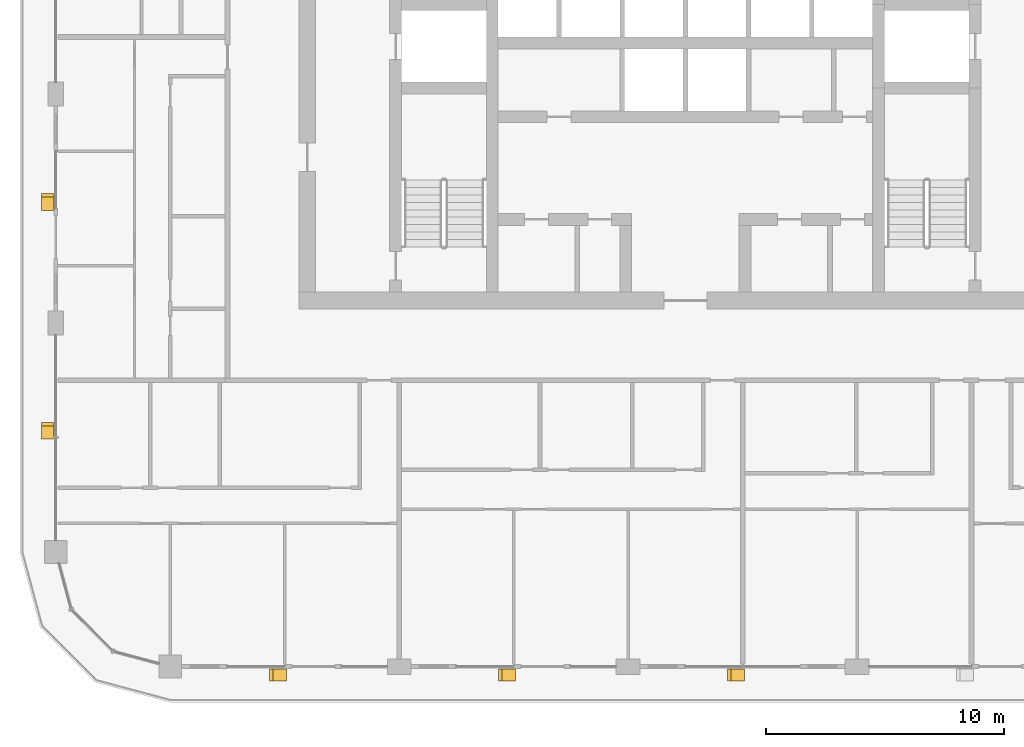
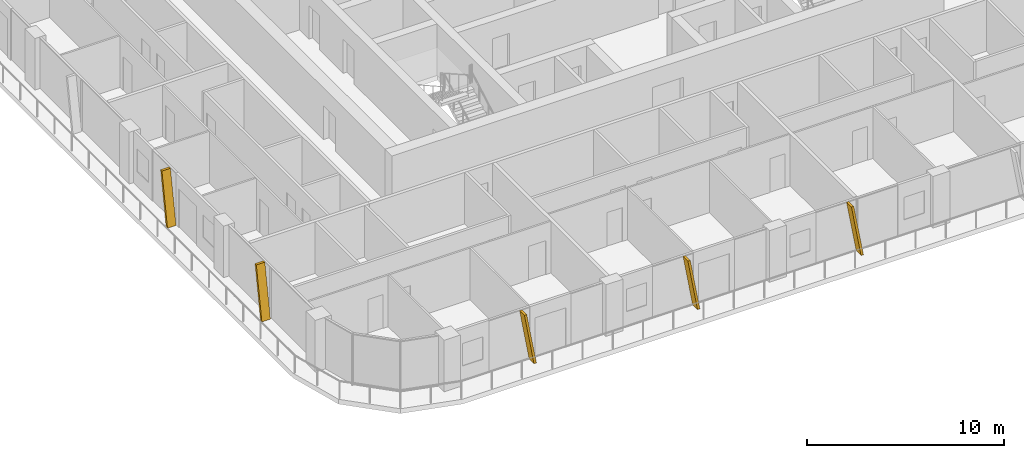
# One storey, part 17 of 22: 5 shading devices.
"""IFC4 building model written with IfcOpenShell, lengths in metres."""

from ifc_helpers import new_model, si_unit, direction, frame, origin, place, context, subcontext, project, spatial, polyline, outline, extrude, material, type_object, element, save


model = new_model("IFC4")

# Units and contexts
model_context = context("Model", 3, precision=1e-05, world=origin(), true_north=direction((0.0, 1.0)))
body_context = subcontext(model_context, "Body", "Model", "MODEL_VIEW")
ifc_project = project(units=[si_unit("LENGTHUNIT", "METRE"), si_unit("AREAUNIT", "SQUARE_METRE"), si_unit("VOLUMEUNIT", "CUBIC_METRE"), si_unit("PLANEANGLEUNIT", "RADIAN"), si_unit("MASSUNIT", "GRAM", prefix="KILO")], contexts=[model_context])

# Site, building, storey
site_placement = place(None, origin())
site = spatial("IfcSite", under=ifc_project, at=site_placement, CompositionType="ELEMENT")
building_placement = place(site_placement, origin())
building = spatial("IfcBuilding", under=site, at=building_placement, Name="Madar Terraces", CompositionType="ELEMENT")
storey_placement = place(building_placement, frame((0.0, 0.0, 182.39990234375)))
storey = spatial("IfcBuildingStorey", under=building, at=storey_placement, Name="L47", CompositionType="ELEMENT", Elevation=182.39990234375)

# Shading devices
ifc_material = material(Name="Aluminium, black anodised", Category="aluminium")
shading_device_type = type_object("IfcShadingDeviceType", Name="Facade fin blade 140 x 500", PredefinedType="USERDEFINED", material=ifc_material)
shading_device_1_placement = place(storey_placement, frame((14.330078125, -0.35009765625, 0.0), z_axis=(0.0, 0.0, 1.0), x_axis=(1.0, 0.0, 0.0)))
element("IfcShadingDevice", 1, at=shading_device_1_placement, inside=storey, type_object=shading_device_type, Name="FIN L47 S1", ObjectType="FIN", PredefinedType="USERDEFINED", context=body_context, shape_type="SweptSolid", body=[
    extrude(outline(polyline([(0.0, 0.0), (0.139892578125, 0.0), (-0.42431640625, 3.2001953125), (-0.564208984375, 3.2001953125), (0.0, 0.0)])), frame((0.0, 0.25, 0.0), z_axis=(0.0, -1.0, 0.0), x_axis=(1.0, 0.0, 0.0)), (0.0, 0.0, 1.0), 0.5),
])
shading_device_2_placement = place(storey_placement, frame((23.929931640625, -0.35009765625, 0.0), z_axis=(0.0, 0.0, 1.0), x_axis=(1.0, 0.0, 0.0)))
element("IfcShadingDevice", 2, at=shading_device_2_placement, inside=storey, type_object=shading_device_type, Name="FIN L47 S2", ObjectType="FIN", PredefinedType="USERDEFINED", context=body_context, shape_type="SweptSolid", body=[
    extrude(outline(polyline([(0.0, 0.0), (0.14013671875, 0.0), (-0.42431640625, 3.2001953125), (-0.564208984375, 3.2001953125), (0.0, 0.0)])), frame((0.0, 0.25, 0.0), z_axis=(0.0, -1.0, 0.0), x_axis=(1.0, 0.0, 0.0)), (0.0, 0.0, 1.0), 0.5),
])
shading_device_3_placement = place(storey_placement, frame((33.530029296875, -0.35009765625, 0.0), z_axis=(0.0, 0.0, 1.0), x_axis=(1.0, 0.0, 0.0)))
element("IfcShadingDevice", 3, at=shading_device_3_placement, inside=storey, type_object=shading_device_type, Name="FIN L47 S3", ObjectType="FIN", PredefinedType="USERDEFINED", context=body_context, shape_type="SweptSolid", body=[
    extrude(outline(polyline([(0.0, 0.0), (0.139892578125, 0.0), (-0.42431640625, 3.2001953125), (-0.564208984375, 3.2001953125), (0.0, 0.0)])), frame((0.0, 0.25, 0.0), z_axis=(0.0, -1.0, 0.0), x_axis=(1.0, 0.0, 0.0)), (0.0, 0.0, 1.0), 0.5),
])
shading_device_4_placement = place(storey_placement, frame((4.449951171875, 19.27001953125, 0.0), z_axis=(0.0, 0.0, 1.0), x_axis=(0.0, -1.0, 0.0)))
element("IfcShadingDevice", 4, at=shading_device_4_placement, inside=storey, type_object=shading_device_type, Name="FIN L47 W3", ObjectType="FIN", PredefinedType="USERDEFINED", context=body_context, shape_type="SweptSolid", body=[
    extrude(outline(polyline([(0.0, 0.0), (0.14013671875, 0.0), (-0.42431640625, 3.2001953125), (-0.564208984375, 3.2001953125), (0.0, 0.0)])), frame((0.0, 0.25, 0.0), z_axis=(0.0, -1.0, 0.0), x_axis=(1.0, 0.0, 0.0)), (0.0, 0.0, 1.0), 0.5),
])
shading_device_5_placement = place(storey_placement, frame((4.449951171875, 9.669921875, 0.0), z_axis=(0.0, 0.0, 1.0), x_axis=(0.0, -1.0, 0.0)))
element("IfcShadingDevice", 5, at=shading_device_5_placement, inside=storey, type_object=shading_device_type, Name="FIN L47 W4", ObjectType="FIN", PredefinedType="USERDEFINED", context=body_context, shape_type="SweptSolid", body=[
    extrude(outline(polyline([(0.0, 0.0), (0.139892578125, 0.0), (-0.42431640625, 3.2001953125), (-0.564208984375, 3.2001953125), (0.0, 0.0)])), frame((0.0, 0.25, 0.0), z_axis=(0.0, -1.0, 0.0), x_axis=(1.0, 0.0, 0.0)), (0.0, 0.0, 1.0), 0.5),
])

save(model, "model.ifc")
